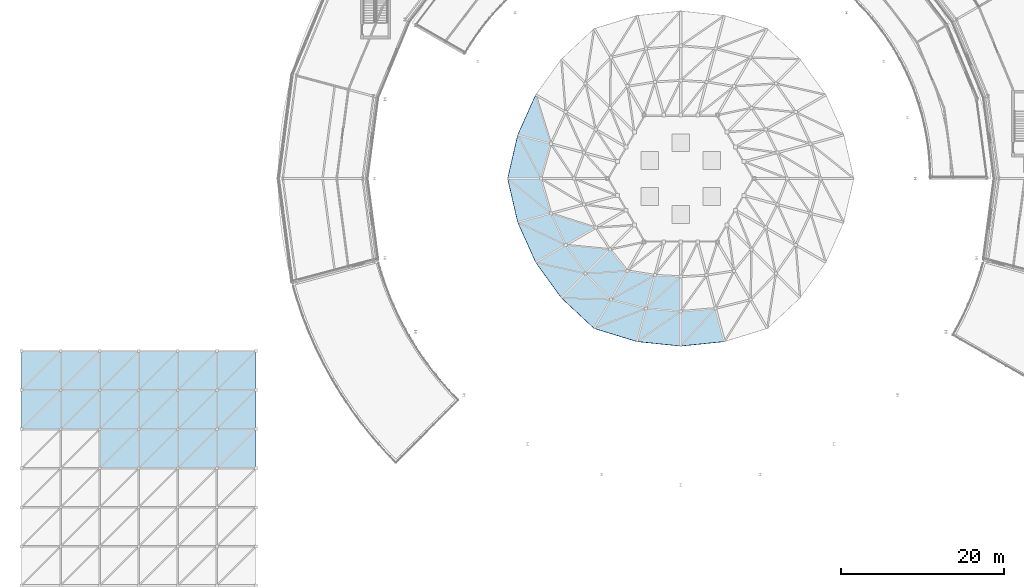
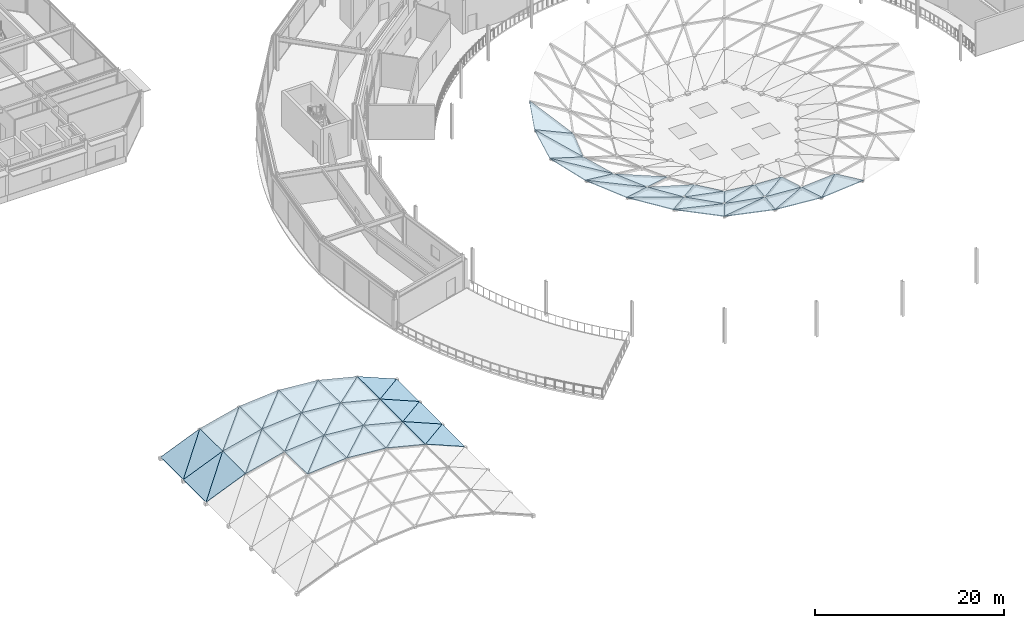
# One storey, part 93 of 116: 57 roofs.
"""IFC4 building model written with IfcOpenShell, lengths in metres."""

import ifcopenshell
import ifcopenshell.guid

model = None  # the IFC model being written
_history = None  # IfcOwnerHistory: only IFC2X3 demands one
_inside = {}  # id of a spatial element -> (the spatial element, [elements in it])
_under = {}  # id of a project, library or spatial element -> (it, [spatial elements below it])
_declared = {}  # id of a project -> (the project, [libraries it declares])
_typed = {}  # id of a type object -> (the type object, [elements of that type])
_made_of = {}  # id of a material, layer set ... -> (it, [elements and type objects made of it])


def new_model(schema):
    """Start an empty IFC model of exactly this schema.

    Asked for "IFC4X3", IfcOpenShell would pick the latest addendum, in which some entities
    have other attributes; the version numbers below select the first issue.
    IFC2X3 requires an IfcOwnerHistory on every rooted entity: one is made here for all.
    """
    global model, _history
    if schema == "IFC4X3":
        model = ifcopenshell.file(schema_version=(4, 3, 0, 0))
    else:
        model = ifcopenshell.file(schema=schema)
    _inside.clear()
    _under.clear()
    _declared.clear()
    _typed.clear()
    _made_of.clear()
    _history = None
    if model.schema == "IFC2X3":
        org = make("IfcOrganization", Name="unknown")
        user = make(
            "IfcPersonAndOrganization",
            ThePerson=make("IfcPerson", FamilyName="unknown"),
            TheOrganization=org,
        )
        app = make(
            "IfcApplication",
            ApplicationDeveloper=org,
            Version="unknown",
            ApplicationFullName="unknown",
            ApplicationIdentifier="unknown",
        )
        _history = make(
            "IfcOwnerHistory",
            OwningUser=user,
            OwningApplication=app,
            ChangeAction="ADDED",
            CreationDate=0,
        )
    return model


def make(cls, **values):
    """One entity of the class cls with the attributes given. An attribute that is None is left unset."""
    return model.create_entity(
        cls, **{name: value for name, value in values.items() if value is not None}
    )


def rooted(cls, **values):
    """An entity with a GlobalId (a new one), such as an element, a storey or a relation."""
    return make(cls, GlobalId=ifcopenshell.guid.new(), OwnerHistory=_history, **values)


def si_unit(unit_type, name, prefix=None):
    """IfcSIUnit, for example si_unit("LENGTHUNIT", "METRE", prefix="MILLI")."""
    return make("IfcSIUnit", UnitType=unit_type, Prefix=prefix, Name=name)


def assignment(units):
    """IfcUnitAssignment: the units of a project."""
    return None if units is None else make("IfcUnitAssignment", Units=units)


def point(xyz):
    """IfcCartesianPoint."""
    return None if xyz is None else make("IfcCartesianPoint", Coordinates=xyz)


def direction(xyz):
    """IfcDirection."""
    return None if xyz is None else make("IfcDirection", DirectionRatios=xyz)


def frame(location, z_axis=None, x_axis=None):
    """IfcAxis2Placement3D, a coordinate frame: its origin and axes. An axis left out is left unset."""
    return make(
        "IfcAxis2Placement3D",
        Location=point(location),
        Axis=direction(z_axis),
        RefDirection=direction(x_axis),
    )


def origin():
    """The frame at (0, 0, 0) with its axes left unset."""
    return frame((0.0, 0.0, 0.0))


def place(relative_to, where):
    """IfcLocalPlacement: puts the frame where relative to a parent placement (None: the world)."""
    return make(
        "IfcLocalPlacement", PlacementRelTo=relative_to, RelativePlacement=where
    )


def context(
    kind, dimensions, precision=None, world=None, true_north=None, identifier=None
):
    """IfcGeometricRepresentationContext, for example the 3D "Model" context."""
    return make(
        "IfcGeometricRepresentationContext",
        ContextIdentifier=identifier,
        ContextType=kind,
        CoordinateSpaceDimension=dimensions,
        Precision=precision,
        WorldCoordinateSystem=world,
        TrueNorth=true_north,
    )


def subcontext(parent, identifier, kind, view, scale=None):
    """IfcGeometricRepresentationSubContext, for example "Body" below "Model"."""
    return make(
        "IfcGeometricRepresentationSubContext",
        ContextIdentifier=identifier,
        ContextType=kind,
        ParentContext=parent,
        TargetScale=scale,
        TargetView=view,
    )


def project(units=None, contexts=None):
    """IfcProject with its units and contexts."""
    return rooted(
        "IfcProject",
        Name="project",
        RepresentationContexts=contexts,
        UnitsInContext=assignment(units),
    )


def spatial(cls, under=None, at=None, **own):
    """A site, building, storey or space (cls), placed at a placement, below another one or the project."""
    s = rooted(cls, ObjectPlacement=at, **own)
    if under is not None:
        _under.setdefault(under.id(), (under, []))[1].append(s)
    return s


def polyline(points):
    """IfcPolyline through the points."""
    return make("IfcPolyline", Points=[point(p) for p in points])


def outline(outer, holes=None, kind="AREA"):
    """IfcArbitraryClosedProfileDef: a profile drawn as a closed curve; with holes, ...WithVoids."""
    if holes is None:
        return make("IfcArbitraryClosedProfileDef", ProfileType=kind, OuterCurve=outer)
    return make(
        "IfcArbitraryProfileDefWithVoids",
        ProfileType=kind,
        OuterCurve=outer,
        InnerCurves=holes,
    )


def extrude(swept, where, along, depth):
    """IfcExtrudedAreaSolid: the profile swept, set in the frame where, extruded along a direction by depth."""
    return make(
        "IfcExtrudedAreaSolid",
        SweptArea=swept,
        Position=where,
        ExtrudedDirection=direction(along),
        Depth=depth,
    )


def shape(context_of_items, identifier, shape_type, items):
    """IfcShapeRepresentation: the items that make up one representation, for example the "Body"."""
    return make(
        "IfcShapeRepresentation",
        ContextOfItems=context_of_items,
        RepresentationIdentifier=identifier,
        RepresentationType=shape_type,
        Items=items,
    )


def material(Name=None, Category=None):
    """IfcMaterial."""
    return make("IfcMaterial", Name=Name, Category=Category)


def layer(
    of_material, thickness, ventilated=None, Name=None, Category=None, Priority=None
):
    """IfcMaterialLayer: one layer of a wall or slab, of a material (None: an air gap)."""
    return make(
        "IfcMaterialLayer",
        Material=of_material,
        LayerThickness=thickness,
        IsVentilated=ventilated,
        Name=Name,
        Category=Category,
        Priority=Priority,
    )


def layer_set(layers, Name=None):
    """IfcMaterialLayerSet."""
    return make("IfcMaterialLayerSet", MaterialLayers=layers, LayerSetName=Name)


def made_of(thing, what):
    """Note that an element or type object is made of a material, layer set ...; save() writes the relation."""
    if what is not None:
        _made_of.setdefault(what.id(), (what, []))[1].append(thing)
    return thing


def type_object(cls, material=None, **own):
    """A type object (cls), such as IfcWallType, which elements share."""
    return made_of(rooted(cls, **own), material)


def element(
    cls,
    number,
    at=None,
    inside=None,
    cuts=None,
    type_object=None,
    material=None,
    context=None,
    identifier="Body",
    shape_type=None,
    held_by="IfcProductDefinitionShape",
    body=None,
    shapes=None,
    **own,
):
    """One element of the class cls, such as IfcWall. Its Tag is "e" and its number.

    at: its placement. inside: the storey or other place that contains it. cuts: it is an
    opening in that element (IfcRelVoidsElement). A single representation is given by context,
    identifier, shape_type and body (its items); several are given by shapes. held_by: the class
    of the entity that holds the representations. save() writes the other relations.
    """
    e = rooted(cls, Tag="e%d" % number, ObjectPlacement=at, **own)
    if body is not None:
        shapes = [shape(context, identifier, shape_type, body)]
    if shapes is not None:
        e.Representation = make(held_by, Representations=shapes)
    if inside is not None:
        _inside.setdefault(inside.id(), (inside, []))[1].append(e)
    if cuts is not None:
        rooted(
            "IfcRelVoidsElement", RelatingBuildingElement=cuts, RelatedOpeningElement=e
        )
    if type_object is not None:
        _typed.setdefault(type_object.id(), (type_object, []))[1].append(e)
    return made_of(e, material)


def aggregate(whole, parts):
    """IfcRelAggregates: a whole, such as a stair, and the parts it consists of."""
    return rooted("IfcRelAggregates", RelatingObject=whole, RelatedObjects=parts)


def save(model, path):
    """Write the relations noted so far, then the file.

    IfcRelAggregates (storeys below a building ...), IfcRelContainedInSpatialStructure (elements
    in a storey), IfcRelDefinesByType, IfcRelAssociatesMaterial and IfcRelDeclares: one each for
    every whole, place, type object, material and project.
    """
    for whole, parts in _under.values():
        aggregate(whole, parts)
    for where, things in _inside.values():
        rooted(
            "IfcRelContainedInSpatialStructure",
            RelatedElements=things,
            RelatingStructure=where,
        )
    for kind, things in _typed.values():
        rooted("IfcRelDefinesByType", RelatedObjects=things, RelatingType=kind)
    for what, things in _made_of.values():
        rooted("IfcRelAssociatesMaterial", RelatedObjects=things, RelatingMaterial=what)
    for by, libraries in _declared.values():
        rooted("IfcRelDeclares", RelatingContext=by, RelatedDefinitions=libraries)
    model.write(path)


model = new_model("IFC4")

# Units and contexts
model_context = context("Model", 3, precision=1e-05, world=origin(), true_north=direction((0.0, 1.0)))
body_context = subcontext(model_context, "Body", "Model", "MODEL_VIEW")
ifc_project = project(units=[si_unit("LENGTHUNIT", "METRE"), si_unit("AREAUNIT", "SQUARE_METRE"), si_unit("VOLUMEUNIT", "CUBIC_METRE"), si_unit("PLANEANGLEUNIT", "RADIAN"), si_unit("MASSUNIT", "GRAM", prefix="KILO")], contexts=[model_context])

# Site, building, storey
site_placement = place(None, origin())
site = spatial("IfcSite", under=ifc_project, at=site_placement, CompositionType="ELEMENT")
building_placement = place(site_placement, origin())
building = spatial("IfcBuilding", under=site, at=building_placement, Name="Almandine Court Research Institute", CompositionType="ELEMENT")
storey_placement = place(building_placement, frame((0.0, 0.0, 14.35009765625)))
storey = spatial("IfcBuildingStorey", under=building, at=storey_placement, Name="L03", CompositionType="ELEMENT", Elevation=14.35009765625)

# Roofs
ifc_material_1 = material(Name="Insulated Laminated Low-E Glass Roof Panel", Category="glass")
ifc_layer_1 = layer(ifc_material_1, 0.080078125)
ifc_layer_set_1 = layer_set([ifc_layer_1], Name="Insulated Laminated Low-E Glass Roof Panel")
roof_type_1 = type_object("IfcRoofType", Name="Roof-GS-Facet", PredefinedType="PAVILION_ROOF", material=ifc_layer_set_1)
roof_1_placement = place(storey_placement, frame((69.1689453125, 66.294921875, 4.930908203125), z_axis=(0.263214041256, -0.118062693103, 0.957486067253), x_axis=(-0.409258497227, -0.912418479892, 0.0)))
element("IfcRoof", 1, at=roof_1_placement, inside=storey, type_object=roof_type_1, Name="Atrium Conical Gridshell Roof Facet R4-S10-1", PredefinedType="PAVILION_ROOF", context=body_context, shape_type="SweptSolid", body=[
    extrude(outline(polyline([(0.0, 0.0), (5.39752843244166, 0.0), (4.725325686651123, 4.357606032387501), (0.0, 0.0)])), origin(), (0.0, 0.0, -1.0), 0.080078125),
])
roof_2_placement = place(storey_placement, frame((66.9599609375, 61.3701171875, 4.930908203125), z_axis=(0.292921702461, -0.067583998908, 0.953744871189), x_axis=(-0.224817447322, -0.974400900749, 0.0)))
element("IfcRoof", 2, at=roof_2_placement, inside=storey, type_object=roof_type_1, Name="Atrium Conical Gridshell Roof Facet R4-S11-1", PredefinedType="PAVILION_ROOF", context=body_context, shape_type="SweptSolid", body=[
    extrude(outline(polyline([(0.0, 0.0), (5.51119891553336, 0.0), (4.5910171517744685, 4.181663393830806), (0.0, 0.0)])), origin(), (0.0, 0.0, -1.0), 0.080078125),
])
roof_3_placement = place(storey_placement, frame((66.9599609375, 61.3701171875, 4.930908203125), z_axis=(0.274069469727, -0.078712426215, 0.958483322611), x_axis=(0.45958405155, -0.864757125568, -0.202429279849)))
element("IfcRoof", 3, at=roof_3_placement, inside=storey, type_object=roof_type_1, Name="Atrium Conical Gridshell Roof Facet R4-S11-2", PredefinedType="PAVILION_ROOF", context=body_context, shape_type="SweptSolid", body=[
    extrude(outline(polyline([(0.0, 0.0), (6.209971596327308, 2.7755575615628914e-16), (3.0767566261356807, 3.1581886467528286), (0.0, 0.0)])), origin(), (0.0, 0.0, -1.0), 0.080078125),
])
roof_4_placement = place(storey_placement, frame((65.720947265625, 56.0, 4.930908203125), z_axis=(0.277966490196, 0.064133475984, 0.958447456873), x_axis=(0.224817447322, -0.974400900749, 0.0)))
element("IfcRoof", 4, at=roof_4_placement, inside=storey, type_object=roof_type_1, Name="Atrium Conical Gridshell Roof Facet R4-S12-1", PredefinedType="PAVILION_ROOF", context=body_context, shape_type="SweptSolid", body=[
    extrude(outline(polyline([(0.0, 0.0), (5.51119891553336, 0.0), (5.362683994164227, 4.4066461377195925), (0.0, 0.0)])), origin(), (0.0, 0.0, -1.0), 0.080078125),
])
roof_5_placement = place(storey_placement, frame((65.720947265625, 56.0, 4.930908203125), z_axis=(0.292554817802, 0.084021396228, 0.952550305001), x_axis=(0.766615252197, -0.616035766322, -0.181110435126)))
element("IfcRoof", 5, at=roof_5_placement, inside=storey, type_object=roof_type_1, Name="Atrium Conical Gridshell Roof Facet R4-S12-2", PredefinedType="PAVILION_ROOF", context=body_context, shape_type="SweptSolid", body=[
    extrude(outline(polyline([(0.0, 0.0), (6.94095885338216, -6.661338147750939e-16), (3.3654400228382633, 2.6470467828010493), (0.0, 0.0)])), origin(), (0.0, 0.0, -1.0), 0.080078125),
])
roof_6_placement = place(storey_placement, frame((66.9599609375, 50.6298828125, 4.930908203125), z_axis=(0.259163415969, 0.116245815372, 0.958812408259), x_axis=(0.409258497227, -0.912418479892, 0.0)))
element("IfcRoof", 6, at=roof_6_placement, inside=storey, type_object=roof_type_1, Name="Atrium Conical Gridshell Roof Facet R4-S13-1", PredefinedType="PAVILION_ROOF", context=body_context, shape_type="SweptSolid", body=[
    extrude(outline(polyline([(0.0, 0.0), (5.39752843244166, 0.0), (4.963349350704812, 4.425713751667219), (0.0, 0.0)])), origin(), (0.0, 0.0, -1.0), 0.080078125),
])
roof_7_placement = place(storey_placement, frame((66.9599609375, 50.6298828125, 4.930908203125), z_axis=(0.261896050242, 0.12272161319, 0.957261648936), x_axis=(0.887687863886, -0.41985187193, -0.189036139259)))
element("IfcRoof", 7, at=roof_7_placement, inside=storey, type_object=roof_type_1, Name="Atrium Conical Gridshell Roof Facet R4-S13-2", PredefinedType="PAVILION_ROOF", context=body_context, shape_type="SweptSolid", body=[
    extrude(outline(polyline([(0.0, 0.0), (6.649945788413482, 1.6653345369377348e-16), (3.4017851746166565, 2.805074774530369), (0.0, 0.0)])), origin(), (0.0, 0.0, -1.0), 0.080078125),
])
roof_8_placement = place(storey_placement, frame((69.1689453125, 45.705078125, 4.930908203125), z_axis=(0.233848985594, 0.168966331778, 0.9574784753), x_axis=(0.585662293375, -0.810555166611, 0.0)))
element("IfcRoof", 8, at=roof_8_placement, inside=storey, type_object=roof_type_1, Name="Atrium Conical Gridshell Roof Facet R4-S14-1", PredefinedType="PAVILION_ROOF", context=body_context, shape_type="SweptSolid", body=[
    extrude(outline(polyline([(0.0, 0.0), (5.397535146552004, 0.0), (4.725546895689076, 4.357225452914407), (0.0, 0.0)])), origin(), (0.0, 0.0, -1.0), 0.080078125),
])
roof_9_placement = place(storey_placement, frame((69.1689453125, 45.705078125, 4.930908203125), z_axis=(0.23263468825, 0.162264994454, 0.95893230908), x_axis=(0.956657038881, -0.215776735534, -0.195570218494)))
element("IfcRoof", 9, at=roof_9_placement, inside=storey, type_object=roof_type_1, Name="Atrium Conical Gridshell Roof Facet R4-S14-2", PredefinedType="PAVILION_ROOF", context=body_context, shape_type="SweptSolid", body=[
    extrude(outline(polyline([(0.0, 0.0), (6.4277684394260675, -2.220446049250313e-16), (3.319615026541278, 2.9589879625093998), (0.0, 0.0)])), origin(), (0.0, 0.0, -1.0), 0.080078125),
])
roof_10_placement = place(storey_placement, frame((72.330078125, 41.330078125, 4.930908203125), z_axis=(0.205004771226, 0.219894353129, 0.953739753411), x_axis=(0.73143670185, -0.681909342352, 0.0)))
element("IfcRoof", 10, at=roof_10_placement, inside=storey, type_object=roof_type_1, Name="Atrium Conical Gridshell Roof Facet R4-S15-1", PredefinedType="PAVILION_ROOF", context=body_context, shape_type="SweptSolid", body=[
    extrude(outline(polyline([(0.0, 0.0), (5.511079563249041, -4.440892098500626e-16), (4.590209424223145, 4.181437554990824), (0.0, 0.0)])), origin(), (0.0, 0.0, -1.0), 0.080078125),
])
roof_11_placement = place(storey_placement, frame((72.330078125, 41.330078125, 4.930908203125), z_axis=(0.205217101532, 0.1980175998, 0.958475336881), x_axis=(0.978690071539, -0.03432551655, -0.202453705289)))
element("IfcRoof", 11, at=roof_11_placement, inside=storey, type_object=roof_type_1, Name="Atrium Conical Gridshell Roof Facet R4-S15-2", PredefinedType="PAVILION_ROOF", context=body_context, shape_type="SweptSolid", body=[
    extrude(outline(polyline([(0.0, 0.0), (6.209222381628365, 0.0), (3.076296854745098, 3.158065787520644), (0.0, 0.0)])), origin(), (0.0, 0.0, -1.0), 0.080078125),
])
roof_12_placement = place(storey_placement, frame((76.361083984375, 37.572021484375, 4.930908203125), z_axis=(0.08346235512, 0.272785262129, 0.958447826459), x_axis=(0.956242466302, -0.292575367453, 0.0)))
element("IfcRoof", 12, at=roof_12_placement, inside=storey, type_object=roof_type_1, Name="Atrium Conical Gridshell Roof Facet R4-S16-1", PredefinedType="PAVILION_ROOF", context=body_context, shape_type="SweptSolid", body=[
    extrude(outline(polyline([(0.0, 0.0), (5.509898392714906, 0.0), (5.361953712578132, 4.406665319327928), (0.0, 0.0)])), origin(), (0.0, 0.0, -1.0), 0.080078125),
])
roof_13_placement = place(storey_placement, frame((76.361083984375, 37.572021484375, 4.930908203125), z_axis=(0.073540314396, 0.295347122297, 0.952555457446), x_axis=(0.916810393501, 0.355882697734, -0.18112484043)))
element("IfcRoof", 13, at=roof_13_placement, inside=storey, type_object=roof_type_1, Name="Atrium Conical Gridshell Roof Facet R4-S16-2", PredefinedType="PAVILION_ROOF", context=body_context, shape_type="SweptSolid", body=[
    extrude(outline(polyline([(0.0, 0.0), (6.940406821822328, -2.7755575615628914e-16), (3.3649657402400592, 2.647532323928809), (0.0, 0.0)])), origin(), (0.0, 0.0, -1.0), 0.080078125),
])
roof_14_placement = place(storey_placement, frame((81.6298828125, 35.9599609375, 4.930908203125), z_axis=(0.028939141788, 0.28253234033, 0.958821152635), x_axis=(0.994795200438, -0.101894598408, 0.0)))
element("IfcRoof", 14, at=roof_14_placement, inside=storey, type_object=roof_type_1, Name="Atrium Conical Gridshell Roof Facet R4-S17-1", PredefinedType="PAVILION_ROOF", context=body_context, shape_type="SweptSolid", body=[
    extrude(outline(polyline([(0.0, 0.0), (5.398213808363336, 0.0), (4.963519908806307, 4.426173749974611), (0.0, 0.0)])), origin(), (0.0, 0.0, -1.0), 0.080078125),
])
roof_15_placement = place(storey_placement, frame((81.6298828125, 35.9599609375, 4.930908203125), z_axis=(0.024664972767, 0.288180342254, 0.957258444443), x_axis=(0.807490369933, 0.558774819092, -0.189023818639)))
element("IfcRoof", 15, at=roof_15_placement, inside=storey, type_object=roof_type_1, Name="Atrium Conical Gridshell Roof Facet R4-S17-2", PredefinedType="PAVILION_ROOF", context=body_context, shape_type="SweptSolid", body=[
    extrude(outline(polyline([(0.0, 0.0), (6.650379233553593, 2.220446049250313e-16), (3.402141224472763, 2.804642928019759), (0.0, 0.0)])), origin(), (0.0, 0.0, -1.0), 0.080078125),
])
roof_16_placement = place(storey_placement, frame((87.0, 35.409912109375, 4.930908203125), z_axis=(-0.029394924214, 0.286982136268, 0.957484825934), x_axis=(0.994795200438, 0.101894598408, 0.0)))
element("IfcRoof", 16, at=roof_16_placement, inside=storey, type_object=roof_type_1, Name="Atrium Conical Gridshell Roof Facet R4-S18-1", PredefinedType="PAVILION_ROOF", context=body_context, shape_type="SweptSolid", body=[
    extrude(outline(polyline([(0.0, 0.0), (5.398213808363336, -1.1102230246251565e-16), (4.725607752948539, 4.3575437988811565), (0.0, 0.0)])), origin(), (0.0, 0.0, -1.0), 0.080078125),
])
roof_17_placement = place(storey_placement, frame((87.0, 35.409912109375, 4.930908203125), z_axis=(-0.024184624014, 0.282568048691, 0.958942334982), x_axis=(0.665192848103, 0.720606595127, -0.195562291589)))
element("IfcRoof", 17, at=roof_17_placement, inside=storey, type_object=roof_type_1, Name="Atrium Conical Gridshell Roof Facet R4-S18-2", PredefinedType="PAVILION_ROOF", context=body_context, shape_type="SweptSolid", body=[
    extrude(outline(polyline([(0.0, 0.0), (6.428028982036015, -3.885780586188048e-16), (3.320026826817718, 2.959289563474158), (0.0, 0.0)])), origin(), (0.0, 0.0, -1.0), 0.080078125),
])
roof_18_placement = place(storey_placement, frame((71.0419921875, 51.72412109375, 3.673828125), z_axis=(0.256867608122, 0.120365340431, 0.958921903348), x_axis=(0.424314361359, -0.905514948935, 0.0)))
element("IfcRoof", 18, at=roof_18_placement, inside=storey, type_object=roof_type_1, Name="Atrium Conical Gridshell Roof Facet R5-S13-1", PredefinedType="PAVILION_ROOF", context=body_context, shape_type="SweptSolid", body=[
    extrude(outline(polyline([(0.0, 0.0), (4.291735297490698, 0.0), (3.9280431541461507, 4.430623767964595), (0.0, 0.0)])), origin(), (0.0, 0.0, -1.0), 0.080078125),
])
roof_19_placement = place(storey_placement, frame((72.863037109375, 47.837890625, 3.673828125), z_axis=(0.237217411891, 0.16546148949, 0.957261926012), x_axis=(0.572090824344, -0.820190275912, 0.0)))
element("IfcRoof", 19, at=roof_19_placement, inside=storey, type_object=roof_type_1, Name="Atrium Conical Gridshell Roof Facet R5-S14-1", PredefinedType="PAVILION_ROOF", context=body_context, shape_type="SweptSolid", body=[
    extrude(outline(polyline([(0.0, 0.0), (4.291413217146875, 0.0), (3.5501434202018345, 4.345568928247767), (0.0, 0.0)])), origin(), (0.0, 0.0, -1.0), 0.080078125),
])
roof_20_placement = place(storey_placement, frame((75.318115234375, 44.318115234375, 3.673828125), z_axis=(0.219000955683, 0.211317883717, 0.952566708127), x_axis=(0.694371168279, -0.719617037502, 0.0)))
element("IfcRoof", 20, at=roof_20_placement, inside=storey, type_object=roof_type_1, Name="Atrium Conical Gridshell Roof Facet R5-S15-1", PredefinedType="PAVILION_ROOF", context=body_context, shape_type="SweptSolid", body=[
    extrude(outline(polyline([(0.0, 0.0), (4.448438138864603, -4.440892098500626e-16), (3.319615221296734, 4.129847521212984), (0.0, 0.0)])), origin(), (0.0, 0.0, -1.0), 0.080078125),
])
roof_21_placement = place(storey_placement, frame((75.318115234375, 44.318115234375, 3.673828125), z_axis=(0.222398188269, 0.180624114692, 0.958078271879), x_axis=(0.969304478605, 0.064690948708, -0.237200145261)))
element("IfcRoof", 21, at=roof_21_placement, inside=storey, type_object=roof_type_1, Name="Atrium Conical Gridshell Roof Facet R5-S15-2", PredefinedType="PAVILION_ROOF", context=body_context, shape_type="SweptSolid", body=[
    extrude(outline(polyline([(0.0, 0.0), (5.298630555712862, 2.7755575615628914e-17), (3.3874859343880916, 2.8210617267862497), (0.0, 0.0)])), origin(), (0.0, 0.0, -1.0), 0.080078125),
])
roof_22_placement = place(storey_placement, frame((78.406982421875, 41.116943359375, 3.673828125), z_axis=(0.06888595934, 0.276654648877, 0.958497224754), x_axis=(0.970371254748, -0.241618765744, 0.0)))
element("IfcRoof", 22, at=roof_22_placement, inside=storey, type_object=roof_type_1, Name="Atrium Conical Gridshell Roof Facet R5-S16-1", PredefinedType="PAVILION_ROOF", context=body_context, shape_type="SweptSolid", body=[
    extrude(outline(polyline([(0.0, 0.0), (4.448955645330045, 0.0), (4.524240759900822, 4.408375100988342), (0.0, 0.0)])), origin(), (0.0, 0.0, -1.0), 0.080078125),
])
roof_23_placement = place(storey_placement, frame((78.406982421875, 41.116943359375, 3.673828125), z_axis=(0.049227625642, 0.308461779775, 0.949962089397), x_axis=(0.856619589335, 0.476041485374, -0.198965784421)))
element("IfcRoof", 23, at=roof_23_placement, inside=storey, type_object=roof_type_1, Name="Atrium Conical Gridshell Roof Facet R5-S16-2", PredefinedType="PAVILION_ROOF", context=body_context, shape_type="SweptSolid", body=[
    extrude(outline(polyline([(0.0, 0.0), (6.316844582903866, 1.1102230246251565e-16), (3.690734696402816, 2.169875371643238), (0.0, 0.0)])), origin(), (0.0, 0.0, -1.0), 0.080078125),
])
roof_24_placement = place(storey_placement, frame((82.72412109375, 40.0419921875, 3.673828125), z_axis=(0.024186668983, 0.28259194167, 0.958935242624), x_axis=(0.996357290731, -0.085276897271, 0.0)))
element("IfcRoof", 24, at=roof_24_placement, inside=storey, type_object=roof_type_1, Name="Atrium Conical Gridshell Roof Facet R5-S17-1", PredefinedType="PAVILION_ROOF", context=body_context, shape_type="SweptSolid", body=[
    extrude(outline(polyline([(0.0, 0.0), (4.291511635464669, 1.1102230246251565e-16), (3.9278148292078763, 4.431328233143628), (0.0, 0.0)])), origin(), (0.0, 0.0, -1.0), 0.080078125),
])
roof_25_placement = place(storey_placement, frame((82.72412109375, 40.0419921875, 3.673828125), z_axis=(0.016695988651, 0.290131760121, 0.956841055626), x_axis=(0.722091439056, 0.658433269483, -0.21224887109)))
element("IfcRoof", 25, at=roof_25_placement, inside=storey, type_object=roof_type_1, Name="Atrium Conical Gridshell Roof Facet R5-S17-2", PredefinedType="PAVILION_ROOF", context=body_context, shape_type="SweptSolid", body=[
    extrude(outline(polyline([(0.0, 0.0), (5.921520011145882, 2.7755575615628914e-16), (3.7444709942732226, 2.3277405036937444), (0.0, 0.0)])), origin(), (0.0, 0.0, -1.0), 0.080078125),
])
ifc_material_2 = material(Name="Insulated Standing-Seam Acoustic Metal Roof Deck")
ifc_layer_2 = layer(ifc_material_2, 0.090087890625)
ifc_layer_set_2 = layer_set([ifc_layer_2], Name="Insulated Standing-Seam Acoustic Metal Roof Deck")
roof_type_2 = type_object("IfcRoofType", Name="Roof-VT-Facet", PredefinedType="PAVILION_ROOF", material=ifc_layer_set_2)
roof_26_placement = place(storey_placement, frame((6.0, 25.199951171875, 0.164794921875), z_axis=(-0.384612050905, 0.0, 0.923078312116), x_axis=(0.923078312116, 0.0, 0.384612050905)))
element("IfcRoof", 26, at=roof_26_placement, inside=storey, type_object=roof_type_2, Name="Lecture Vaulted Gridshell Roof Facet 0-4-1", PredefinedType="PAVILION_ROOF", context=body_context, shape_type="SweptSolid", body=[
    extrude(outline(polyline([(0.0, 0.0), (5.2000450721492975, 0.0), (5.2000450721492975, 4.800048828125), (0.0, 0.0)])), origin(), (0.0, 0.0, -1.0), 0.090087890625),
])
roof_27_placement = place(storey_placement, frame((6.0, 25.199951171875, 0.164794921875), z_axis=(-0.384612050905, 0.0, 0.923078312116), x_axis=(0.678280653829, 0.678280653829, 0.282614064197)))
element("IfcRoof", 27, at=roof_27_placement, inside=storey, type_object=roof_type_2, Name="Lecture Vaulted Gridshell Roof Facet 0-4-2", PredefinedType="PAVILION_ROOF", context=body_context, shape_type="SweptSolid", body=[
    extrude(outline(polyline([(0.0, 0.0), (7.076788643499845, 1.1102230246251565e-16), (3.2557802575532993, 3.527089971479372), (0.0, 0.0)])), origin(), (0.0, 0.0, -1.0), 0.090087890625),
])
roof_28_placement = place(storey_placement, frame((6.0, 30.0, 0.164794921875), z_axis=(-0.384612050905, 0.0, 0.923078312116), x_axis=(0.923078312116, 0.0, 0.384612050905)))
element("IfcRoof", 28, at=roof_28_placement, inside=storey, type_object=roof_type_2, Name="Lecture Vaulted Gridshell Roof Facet 0-5-1", PredefinedType="PAVILION_ROOF", context=body_context, shape_type="SweptSolid", body=[
    extrude(outline(polyline([(0.0, 0.0), (5.2000450721492975, 0.0), (5.2000450721492975, 4.800048828125), (0.0, 0.0)])), origin(), (0.0, 0.0, -1.0), 0.090087890625),
])
roof_29_placement = place(storey_placement, frame((6.0, 30.0, 0.164794921875), z_axis=(-0.384612050905, 0.0, 0.923078312116), x_axis=(0.678280653829, 0.678280653829, 0.282614064197)))
element("IfcRoof", 29, at=roof_29_placement, inside=storey, type_object=roof_type_2, Name="Lecture Vaulted Gridshell Roof Facet 0-5-2", PredefinedType="PAVILION_ROOF", context=body_context, shape_type="SweptSolid", body=[
    extrude(outline(polyline([(0.0, 0.0), (7.076788643499845, 1.1102230246251565e-16), (3.2557802575532993, 3.527089971479372), (0.0, 0.0)])), origin(), (0.0, 0.0, -1.0), 0.090087890625),
])
roof_30_placement = place(storey_placement, frame((10.800048828125, 25.199951171875, 2.164794921875), z_axis=(-0.242570455271, 0.0, 0.970133791922), x_axis=(0.970133791922, 0.0, 0.242570455271)))
element("IfcRoof", 30, at=roof_30_placement, inside=storey, type_object=roof_type_2, Name="Lecture Vaulted Gridshell Roof Facet 1-4-1", PredefinedType="PAVILION_ROOF", context=body_context, shape_type="SweptSolid", body=[
    extrude(outline(polyline([(0.0, 0.0), (4.947821494408539, 0.0), (4.947821494408539, 4.800048828124999), (0.0, 0.0)])), origin(), (0.0, 0.0, -1.0), 0.090087890625),
])
roof_31_placement = place(storey_placement, frame((10.800048828125, 25.199951171875, 2.164794921875), z_axis=(-0.242570455271, 0.0, 0.970133791922), x_axis=(0.696307403979, 0.696307403979, 0.174103412744)))
element("IfcRoof", 31, at=roof_31_placement, inside=storey, type_object=roof_type_2, Name="Lecture Vaulted Gridshell Roof Facet 1-4-2", PredefinedType="PAVILION_ROOF", context=body_context, shape_type="SweptSolid", body=[
    extrude(outline(polyline([(0.0, 0.0), (6.893577176830282, 8.326672684688674e-17), (3.342309538482366, 3.445204740121257), (0.0, 0.0)])), origin(), (0.0, 0.0, -1.0), 0.090087890625),
])
roof_32_placement = place(storey_placement, frame((10.800048828125, 30.0, 2.164794921875), z_axis=(-0.242570455271, 0.0, 0.970133791922), x_axis=(0.970133791922, 0.0, 0.242570455271)))
element("IfcRoof", 32, at=roof_32_placement, inside=storey, type_object=roof_type_2, Name="Lecture Vaulted Gridshell Roof Facet 1-5-1", PredefinedType="PAVILION_ROOF", context=body_context, shape_type="SweptSolid", body=[
    extrude(outline(polyline([(0.0, 0.0), (4.947821494408539, 0.0), (4.947821494408539, 4.800048828124999), (0.0, 0.0)])), origin(), (0.0, 0.0, -1.0), 0.090087890625),
])
roof_33_placement = place(storey_placement, frame((10.800048828125, 30.0, 2.164794921875), z_axis=(-0.242570455271, 0.0, 0.970133791922), x_axis=(0.696307403979, 0.696307403979, 0.174103412744)))
element("IfcRoof", 33, at=roof_33_placement, inside=storey, type_object=roof_type_2, Name="Lecture Vaulted Gridshell Roof Facet 1-5-2", PredefinedType="PAVILION_ROOF", context=body_context, shape_type="SweptSolid", body=[
    extrude(outline(polyline([(0.0, 0.0), (6.893577176830282, 8.326672684688674e-17), (3.342309538482366, 3.445204740121257), (0.0, 0.0)])), origin(), (0.0, 0.0, -1.0), 0.090087890625),
])
roof_34_placement = place(storey_placement, frame((15.60009765625, 20.39990234375, 3.364990234375), z_axis=(-0.083028700011, 0.0, 0.996547156423), x_axis=(0.996547156423, 0.0, 0.083028700011)))
element("IfcRoof", 34, at=roof_34_placement, inside=storey, type_object=roof_type_2, Name="Lecture Vaulted Gridshell Roof Facet 2-3-1", PredefinedType="PAVILION_ROOF", context=body_context, shape_type="SweptSolid", body=[
    extrude(outline(polyline([(0.0, 0.0), (4.816435084446142, 0.0), (4.816435084446142, 4.800048828125001), (0.0, 0.0)])), origin(), (0.0, 0.0, -1.0), 0.090087890625),
])
roof_35_placement = place(storey_placement, frame((15.60009765625, 20.39990234375, 3.364990234375), z_axis=(-0.083028700011, 0.0, 0.996547156423), x_axis=(0.705864959898, 0.705900863507, 0.058810112122)))
element("IfcRoof", 35, at=roof_35_placement, inside=storey, type_object=roof_type_2, Name="Lecture Vaulted Gridshell Roof Facet 2-3-2", PredefinedType="PAVILION_ROOF", context=body_context, shape_type="SweptSolid", body=[
    extrude(outline(polyline([(0.0, 0.0), (6.799890857584989, 2.255140518769849e-16), (3.3883586126508973, 3.399925685137645), (0.0, 0.0)])), origin(), (0.0, 0.0, -1.0), 0.090087890625),
])
roof_36_placement = place(storey_placement, frame((15.60009765625, 25.199951171875, 3.364990234375), z_axis=(-0.083028700011, 0.0, 0.996547156423), x_axis=(0.996547156423, 0.0, 0.083028700011)))
element("IfcRoof", 36, at=roof_36_placement, inside=storey, type_object=roof_type_2, Name="Lecture Vaulted Gridshell Roof Facet 2-4-1", PredefinedType="PAVILION_ROOF", context=body_context, shape_type="SweptSolid", body=[
    extrude(outline(polyline([(0.0, 0.0), (4.816435084446142, 0.0), (4.816435084446142, 4.800048828125001), (0.0, 0.0)])), origin(), (0.0, 0.0, -1.0), 0.090087890625),
])
roof_37_placement = place(storey_placement, frame((15.60009765625, 25.199951171875, 3.364990234375), z_axis=(-0.083028700011, 0.0, 0.996547156423), x_axis=(0.705864959898, 0.705900863507, 0.058810112122)))
element("IfcRoof", 37, at=roof_37_placement, inside=storey, type_object=roof_type_2, Name="Lecture Vaulted Gridshell Roof Facet 2-4-2", PredefinedType="PAVILION_ROOF", context=body_context, shape_type="SweptSolid", body=[
    extrude(outline(polyline([(0.0, 0.0), (6.799890857584989, 2.255140518769849e-16), (3.3883586126508973, 3.399925685137645), (0.0, 0.0)])), origin(), (0.0, 0.0, -1.0), 0.090087890625),
])
roof_38_placement = place(storey_placement, frame((15.60009765625, 30.0, 3.364990234375), z_axis=(-0.083028700011, 0.0, 0.996547156423), x_axis=(0.996547156423, 0.0, 0.083028700011)))
element("IfcRoof", 38, at=roof_38_placement, inside=storey, type_object=roof_type_2, Name="Lecture Vaulted Gridshell Roof Facet 2-5-1", PredefinedType="PAVILION_ROOF", context=body_context, shape_type="SweptSolid", body=[
    extrude(outline(polyline([(0.0, 0.0), (4.816435084446142, 0.0), (4.816435084446142, 4.800048828125001), (0.0, 0.0)])), origin(), (0.0, 0.0, -1.0), 0.090087890625),
])
roof_39_placement = place(storey_placement, frame((15.60009765625, 30.0, 3.364990234375), z_axis=(-0.083028700011, 0.0, 0.996547156423), x_axis=(0.705864959898, 0.705900863507, 0.058810112122)))
element("IfcRoof", 39, at=roof_39_placement, inside=storey, type_object=roof_type_2, Name="Lecture Vaulted Gridshell Roof Facet 2-5-2", PredefinedType="PAVILION_ROOF", context=body_context, shape_type="SweptSolid", body=[
    extrude(outline(polyline([(0.0, 0.0), (6.799890857584989, 2.255140518769849e-16), (3.3883586126508973, 3.399925685137645), (0.0, 0.0)])), origin(), (0.0, 0.0, -1.0), 0.090087890625),
])
roof_40_placement = place(storey_placement, frame((20.39990234375, 20.39990234375, 3.764892578125), z_axis=(0.083024506106, 0.0, 0.996547505835), x_axis=(0.996547505835, 0.0, -0.083024506106)))
element("IfcRoof", 40, at=roof_40_placement, inside=storey, type_object=roof_type_2, Name="Lecture Vaulted Gridshell Roof Facet 3-3-1", PredefinedType="PAVILION_ROOF", context=body_context, shape_type="SweptSolid", body=[
    extrude(outline(polyline([(0.0, 0.0), (4.816678382134407, 0.0), (4.816678382134407, 4.800048828125), (0.0, 0.0)])), origin(), (0.0, 0.0, -1.0), 0.090087890625),
])
roof_41_placement = place(storey_placement, frame((20.39990234375, 20.39990234375, 3.764892578125), z_axis=(0.083024506106, 0.0, 0.996547505835), x_axis=(0.705882974016, 0.705882974016, -0.05880862171)))
element("IfcRoof", 41, at=roof_41_placement, inside=storey, type_object=roof_type_2, Name="Lecture Vaulted Gridshell Roof Facet 3-3-2", PredefinedType="PAVILION_ROOF", context=body_context, shape_type="SweptSolid", body=[
    extrude(outline(polyline([(0.0, 0.0), (6.80006319009648, 1.700029006457271e-16), (3.3882727422209857, 3.4000112612617133), (0.0, 0.0)])), origin(), (0.0, 0.0, -1.0), 0.090087890625),
])
roof_42_placement = place(storey_placement, frame((20.39990234375, 25.199951171875, 3.764892578125), z_axis=(0.083024506106, 0.0, 0.996547505835), x_axis=(0.996547505835, 0.0, -0.083024506106)))
element("IfcRoof", 42, at=roof_42_placement, inside=storey, type_object=roof_type_2, Name="Lecture Vaulted Gridshell Roof Facet 3-4-1", PredefinedType="PAVILION_ROOF", context=body_context, shape_type="SweptSolid", body=[
    extrude(outline(polyline([(0.0, 0.0), (4.816678382134407, 0.0), (4.816678382134407, 4.800048828125), (0.0, 0.0)])), origin(), (0.0, 0.0, -1.0), 0.090087890625),
])
roof_43_placement = place(storey_placement, frame((20.39990234375, 25.199951171875, 3.764892578125), z_axis=(0.083024506106, 0.0, 0.996547505835), x_axis=(0.705882974016, 0.705882974016, -0.05880862171)))
element("IfcRoof", 43, at=roof_43_placement, inside=storey, type_object=roof_type_2, Name="Lecture Vaulted Gridshell Roof Facet 3-4-2", PredefinedType="PAVILION_ROOF", context=body_context, shape_type="SweptSolid", body=[
    extrude(outline(polyline([(0.0, 0.0), (6.80006319009648, 1.700029006457271e-16), (3.3882727422209857, 3.4000112612617133), (0.0, 0.0)])), origin(), (0.0, 0.0, -1.0), 0.090087890625),
])
roof_44_placement = place(storey_placement, frame((20.39990234375, 30.0, 3.764892578125), z_axis=(0.083024506106, 0.0, 0.996547505835), x_axis=(0.996547505835, 0.0, -0.083024506106)))
element("IfcRoof", 44, at=roof_44_placement, inside=storey, type_object=roof_type_2, Name="Lecture Vaulted Gridshell Roof Facet 3-5-1", PredefinedType="PAVILION_ROOF", context=body_context, shape_type="SweptSolid", body=[
    extrude(outline(polyline([(0.0, 0.0), (4.816678382134407, 0.0), (4.816678382134407, 4.800048828125), (0.0, 0.0)])), origin(), (0.0, 0.0, -1.0), 0.090087890625),
])
roof_45_placement = place(storey_placement, frame((20.39990234375, 30.0, 3.764892578125), z_axis=(0.083024506106, 0.0, 0.996547505835), x_axis=(0.705882974016, 0.705882974016, -0.05880862171)))
element("IfcRoof", 45, at=roof_45_placement, inside=storey, type_object=roof_type_2, Name="Lecture Vaulted Gridshell Roof Facet 3-5-2", PredefinedType="PAVILION_ROOF", context=body_context, shape_type="SweptSolid", body=[
    extrude(outline(polyline([(0.0, 0.0), (6.80006319009648, 1.700029006457271e-16), (3.3882727422209857, 3.4000112612617133), (0.0, 0.0)])), origin(), (0.0, 0.0, -1.0), 0.090087890625),
])
roof_46_placement = place(storey_placement, frame((25.199951171875, 20.39990234375, 3.364990234375), z_axis=(0.242570455271, 0.0, 0.970133791922), x_axis=(0.970133791922, 0.0, -0.242570455271)))
element("IfcRoof", 46, at=roof_46_placement, inside=storey, type_object=roof_type_2, Name="Lecture Vaulted Gridshell Roof Facet 4-3-1", PredefinedType="PAVILION_ROOF", context=body_context, shape_type="SweptSolid", body=[
    extrude(outline(polyline([(0.0, 0.0), (4.947821494408539, 0.0), (4.947821494408539, 4.800048828124999), (0.0, 0.0)])), origin(), (0.0, 0.0, -1.0), 0.090087890625),
])
roof_47_placement = place(storey_placement, frame((25.199951171875, 20.39990234375, 3.364990234375), z_axis=(0.242570455271, 0.0, 0.970133791922), x_axis=(0.696307403979, 0.696307403979, -0.174103412744)))
element("IfcRoof", 47, at=roof_47_placement, inside=storey, type_object=roof_type_2, Name="Lecture Vaulted Gridshell Roof Facet 4-3-2", PredefinedType="PAVILION_ROOF", context=body_context, shape_type="SweptSolid", body=[
    extrude(outline(polyline([(0.0, 0.0), (6.893577176830282, 8.326672684688674e-17), (3.342309538482366, 3.445204740121257), (0.0, 0.0)])), origin(), (0.0, 0.0, -1.0), 0.090087890625),
])
roof_48_placement = place(storey_placement, frame((25.199951171875, 25.199951171875, 3.364990234375), z_axis=(0.242570455271, 0.0, 0.970133791922), x_axis=(0.970133791922, 0.0, -0.242570455271)))
element("IfcRoof", 48, at=roof_48_placement, inside=storey, type_object=roof_type_2, Name="Lecture Vaulted Gridshell Roof Facet 4-4-1", PredefinedType="PAVILION_ROOF", context=body_context, shape_type="SweptSolid", body=[
    extrude(outline(polyline([(0.0, 0.0), (4.947821494408539, 0.0), (4.947821494408539, 4.800048828124999), (0.0, 0.0)])), origin(), (0.0, 0.0, -1.0), 0.090087890625),
])
roof_49_placement = place(storey_placement, frame((25.199951171875, 25.199951171875, 3.364990234375), z_axis=(0.242570455271, 0.0, 0.970133791922), x_axis=(0.696307403979, 0.696307403979, -0.174103412744)))
element("IfcRoof", 49, at=roof_49_placement, inside=storey, type_object=roof_type_2, Name="Lecture Vaulted Gridshell Roof Facet 4-4-2", PredefinedType="PAVILION_ROOF", context=body_context, shape_type="SweptSolid", body=[
    extrude(outline(polyline([(0.0, 0.0), (6.893577176830282, 8.326672684688674e-17), (3.342309538482366, 3.445204740121257), (0.0, 0.0)])), origin(), (0.0, 0.0, -1.0), 0.090087890625),
])
roof_50_placement = place(storey_placement, frame((25.199951171875, 30.0, 3.364990234375), z_axis=(0.242570455271, 0.0, 0.970133791922), x_axis=(0.970133791922, 0.0, -0.242570455271)))
element("IfcRoof", 50, at=roof_50_placement, inside=storey, type_object=roof_type_2, Name="Lecture Vaulted Gridshell Roof Facet 4-5-1", PredefinedType="PAVILION_ROOF", context=body_context, shape_type="SweptSolid", body=[
    extrude(outline(polyline([(0.0, 0.0), (4.947821494408539, 0.0), (4.947821494408539, 4.800048828124999), (0.0, 0.0)])), origin(), (0.0, 0.0, -1.0), 0.090087890625),
])
roof_51_placement = place(storey_placement, frame((25.199951171875, 30.0, 3.364990234375), z_axis=(0.242570455271, 0.0, 0.970133791922), x_axis=(0.696307403979, 0.696307403979, -0.174103412744)))
element("IfcRoof", 51, at=roof_51_placement, inside=storey, type_object=roof_type_2, Name="Lecture Vaulted Gridshell Roof Facet 4-5-2", PredefinedType="PAVILION_ROOF", context=body_context, shape_type="SweptSolid", body=[
    extrude(outline(polyline([(0.0, 0.0), (6.893577176830282, 8.326672684688674e-17), (3.342309538482366, 3.445204740121257), (0.0, 0.0)])), origin(), (0.0, 0.0, -1.0), 0.090087890625),
])
roof_52_placement = place(storey_placement, frame((30.0, 20.39990234375, 2.164794921875), z_axis=(0.384612050905, 0.0, 0.923078312116), x_axis=(0.923078312116, 0.0, -0.384612050905)))
element("IfcRoof", 52, at=roof_52_placement, inside=storey, type_object=roof_type_2, Name="Lecture Vaulted Gridshell Roof Facet 5-3-1", PredefinedType="PAVILION_ROOF", context=body_context, shape_type="SweptSolid", body=[
    extrude(outline(polyline([(0.0, 0.0), (5.2000450721492975, 0.0), (5.2000450721492975, 4.800048828125), (0.0, 0.0)])), origin(), (0.0, 0.0, -1.0), 0.090087890625),
])
roof_53_placement = place(storey_placement, frame((30.0, 20.39990234375, 2.164794921875), z_axis=(0.384612050905, 0.0, 0.923078312116), x_axis=(0.678280653829, 0.678280653829, -0.282614064197)))
element("IfcRoof", 53, at=roof_53_placement, inside=storey, type_object=roof_type_2, Name="Lecture Vaulted Gridshell Roof Facet 5-3-2", PredefinedType="PAVILION_ROOF", context=body_context, shape_type="SweptSolid", body=[
    extrude(outline(polyline([(0.0, 0.0), (7.076788643499845, 1.1102230246251565e-16), (3.2557802575532993, 3.527089971479372), (0.0, 0.0)])), origin(), (0.0, 0.0, -1.0), 0.090087890625),
])
roof_54_placement = place(storey_placement, frame((30.0, 25.199951171875, 2.164794921875), z_axis=(0.384612050905, 0.0, 0.923078312116), x_axis=(0.923078312116, 0.0, -0.384612050905)))
element("IfcRoof", 54, at=roof_54_placement, inside=storey, type_object=roof_type_2, Name="Lecture Vaulted Gridshell Roof Facet 5-4-1", PredefinedType="PAVILION_ROOF", context=body_context, shape_type="SweptSolid", body=[
    extrude(outline(polyline([(0.0, 0.0), (5.2000450721492975, 0.0), (5.2000450721492975, 4.800048828125), (0.0, 0.0)])), origin(), (0.0, 0.0, -1.0), 0.090087890625),
])
roof_55_placement = place(storey_placement, frame((30.0, 25.199951171875, 2.164794921875), z_axis=(0.384612050905, 0.0, 0.923078312116), x_axis=(0.678280653829, 0.678280653829, -0.282614064197)))
element("IfcRoof", 55, at=roof_55_placement, inside=storey, type_object=roof_type_2, Name="Lecture Vaulted Gridshell Roof Facet 5-4-2", PredefinedType="PAVILION_ROOF", context=body_context, shape_type="SweptSolid", body=[
    extrude(outline(polyline([(0.0, 0.0), (7.076788643499845, 1.1102230246251565e-16), (3.2557802575532993, 3.527089971479372), (0.0, 0.0)])), origin(), (0.0, 0.0, -1.0), 0.090087890625),
])
roof_56_placement = place(storey_placement, frame((30.0, 30.0, 2.164794921875), z_axis=(0.384612050905, 0.0, 0.923078312116), x_axis=(0.923078312116, 0.0, -0.384612050905)))
element("IfcRoof", 56, at=roof_56_placement, inside=storey, type_object=roof_type_2, Name="Lecture Vaulted Gridshell Roof Facet 5-5-1", PredefinedType="PAVILION_ROOF", context=body_context, shape_type="SweptSolid", body=[
    extrude(outline(polyline([(0.0, 0.0), (5.2000450721492975, 0.0), (5.2000450721492975, 4.800048828125), (0.0, 0.0)])), origin(), (0.0, 0.0, -1.0), 0.090087890625),
])
roof_57_placement = place(storey_placement, frame((30.0, 30.0, 2.164794921875), z_axis=(0.384612050905, 0.0, 0.923078312116), x_axis=(0.678280653829, 0.678280653829, -0.282614064197)))
element("IfcRoof", 57, at=roof_57_placement, inside=storey, type_object=roof_type_2, Name="Lecture Vaulted Gridshell Roof Facet 5-5-2", PredefinedType="PAVILION_ROOF", context=body_context, shape_type="SweptSolid", body=[
    extrude(outline(polyline([(0.0, 0.0), (7.076788643499845, 1.1102230246251565e-16), (3.2557802575532993, 3.527089971479372), (0.0, 0.0)])), origin(), (0.0, 0.0, -1.0), 0.090087890625),
])

save(model, "model.ifc")
